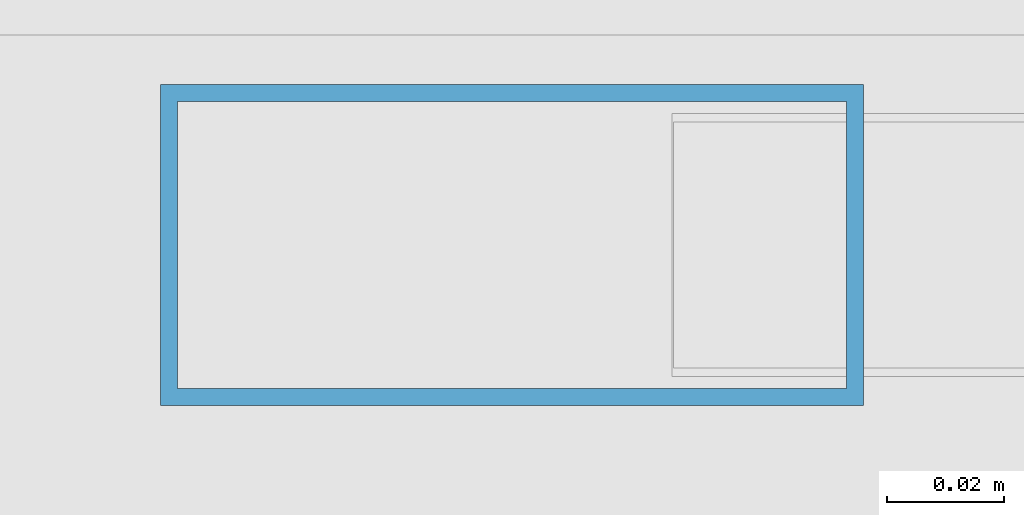
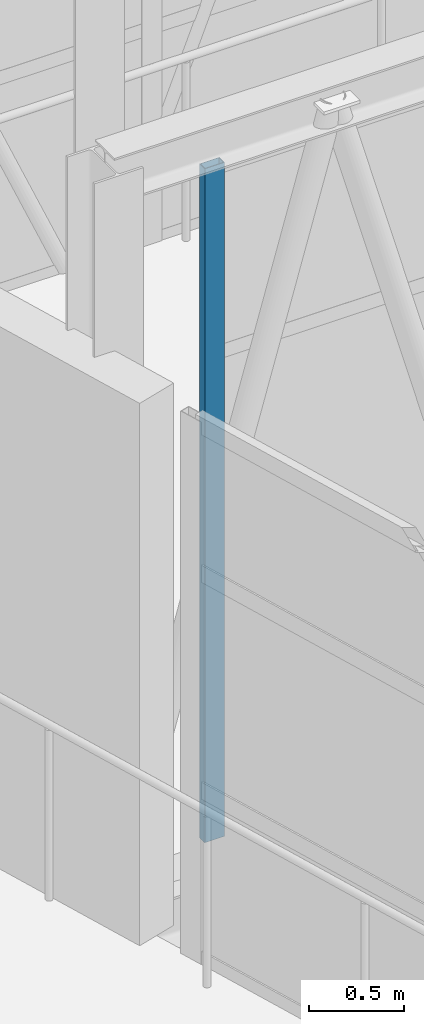
# One storey, part 122 of 248: 1 member, 1 element without a shape of its own.
"""IFC4 building model written with IfcOpenShell, lengths in metres."""

from ifc_helpers import new_model, si_unit, direction, frame, origin, origin_2d, place, context, subcontext, project, spatial, hollow_rectangle, extrude, material, layer, layer_set, material_profile, profile_set, type_object, element, aggregate, save


model = new_model("IFC4")

# Units and contexts
model_context = context("Model", 3, precision=1e-05, world=origin(), true_north=direction((0.0, 1.0)))
body_context = subcontext(model_context, "Body", "Model", "MODEL_VIEW")
ifc_project = project(units=[si_unit("LENGTHUNIT", "METRE"), si_unit("AREAUNIT", "SQUARE_METRE"), si_unit("VOLUMEUNIT", "CUBIC_METRE"), si_unit("PLANEANGLEUNIT", "RADIAN"), si_unit("MASSUNIT", "GRAM", prefix="KILO")], contexts=[model_context])

# Site, building, storey
site_placement = place(None, origin())
site = spatial("IfcSite", under=ifc_project, at=site_placement, CompositionType="ELEMENT")
building_placement = place(site_placement, origin())
building = spatial("IfcBuilding", under=site, at=building_placement, Name="Canggui Botanical Conservatory", CompositionType="ELEMENT")
storey_placement = place(building_placement, frame((0.0, 0.0, 5.39990234375)))
storey = spatial("IfcBuildingStorey", under=building, at=storey_placement, Name="L02", CompositionType="ELEMENT", Elevation=5.39990234375)

# Curtain wall, member
ifc_material = material(Name="Thermally Broken Aluminium", Category="aluminium")
ifc_layer = layer(ifc_material, 0.1201171875, Name="Thermally Broken Aluminium", Category="aluminium")
ifc_layer_set = layer_set([ifc_layer], Name="Thermally Broken Aluminium")
curtain_wall_type = type_object("IfcCurtainWallType", Name="CW-STICK-B", PredefinedType="USERDEFINED", material=ifc_layer_set)
curtain_wall_placement = place(storey_placement, origin())
curtain_wall = element("IfcCurtainWall", 1, at=curtain_wall_placement, inside=storey, type_object=curtain_wall_type, Name="Facade Curtain Wall CW-SB-04-1", ObjectType="STICK GLAZED WALL", PredefinedType="USERDEFINED")
ifc_material_profile = material_profile(ifc_material, hollow_rectangle(XDim=0.054931640625, YDim=0.1201171875, WallThickness=0.0029296875, at=origin_2d()), Name="CWM 55x120x3")
ifc_profile_set = profile_set([ifc_material_profile], Name="Thermally Broken Aluminium")
member_type = type_object("IfcMemberType", Name="CWM-05", PredefinedType="MULLION", material=ifc_profile_set)
member_placement = place(storey_placement, frame((67.507568359375, 75.0400390625, 0.0), z_axis=(0.0, 0.0, 1.0), x_axis=(0.0, 1.0, 0.0)))
member = element("IfcMember", 2, at=member_placement, type_object=member_type, Name="CW-05 mullion 1", PredefinedType="MULLION", context=body_context, shape_type="SweptSolid", body=[
    extrude(hollow_rectangle(XDim=0.054931640625, YDim=0.1201171875, WallThickness=0.0029296875, at=origin_2d()), origin(), (0.0, 0.0, 1.0), 4.35009765625),
])
aggregate(curtain_wall, [member])

save(model, "model.ifc")
